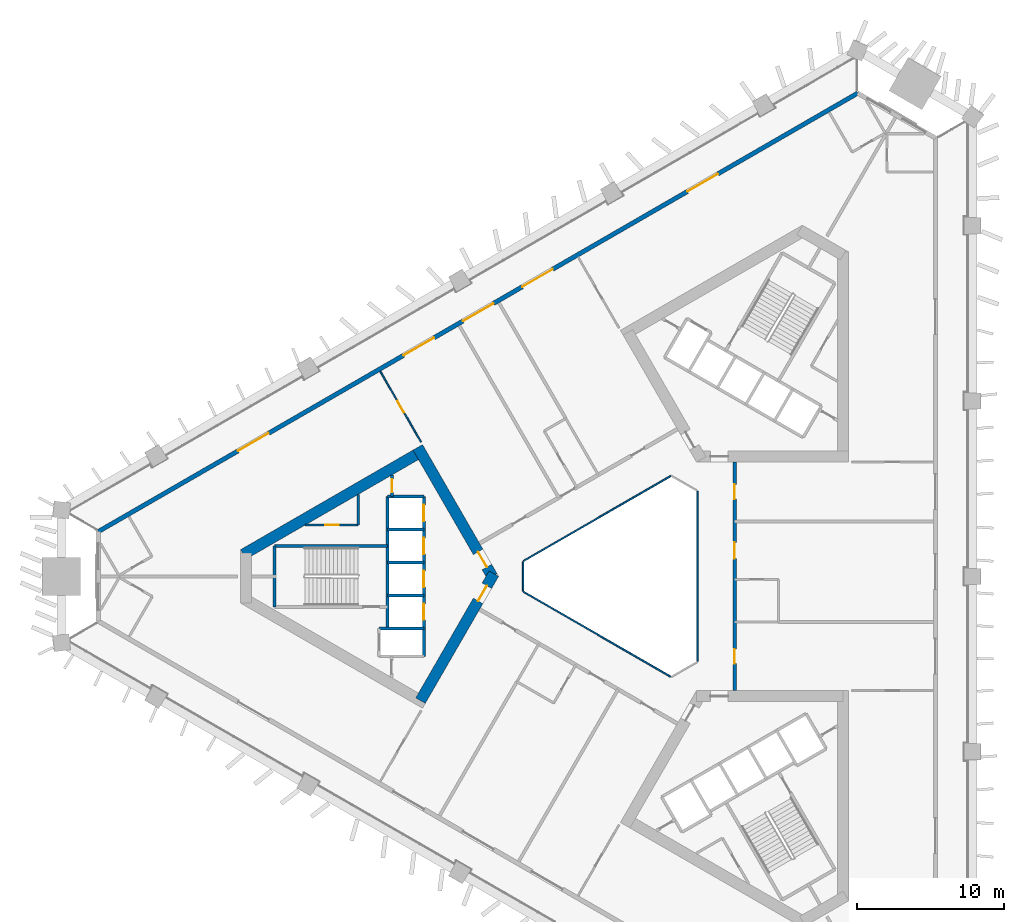
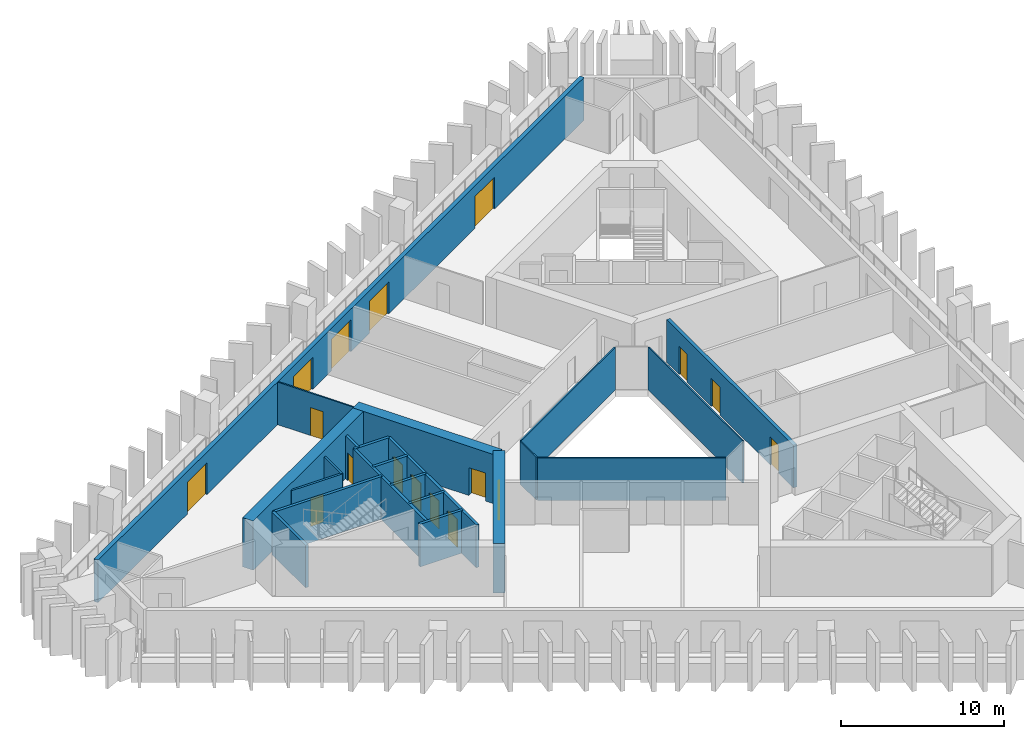
# One storey, part 4 of 10: 22 walls, 17 doors, 17 openings.
"""IFC4 building model written with IfcOpenShell, lengths in metres."""

from ifc_helpers import new_model, si_unit, direction, frame, frame_2d, origin, place, context, subcontext, project, spatial, rectangle, extrude, material, layer, layer_set, type_object, element, fill, save


model = new_model("IFC4")

# Units and contexts
model_context = context("Model", 3, precision=1e-05, world=origin(), true_north=direction((0.0, 1.0)))
body_context = subcontext(model_context, "Body", "Model", "MODEL_VIEW")
ifc_project = project(units=[si_unit("LENGTHUNIT", "METRE"), si_unit("AREAUNIT", "SQUARE_METRE"), si_unit("VOLUMEUNIT", "CUBIC_METRE"), si_unit("PLANEANGLEUNIT", "RADIAN"), si_unit("MASSUNIT", "GRAM", prefix="KILO")], contexts=[model_context])

# Site, building, storey
site_placement = place(None, origin())
site = spatial("IfcSite", under=ifc_project, at=site_placement, CompositionType="ELEMENT")
building_placement = place(site_placement, origin())
building = spatial("IfcBuilding", under=site, at=building_placement, Name="Jabali Bay Hotel Tower and Convention Centre", CompositionType="ELEMENT")
storey_placement = place(building_placement, frame((0.0, 0.0, 64.699951171875)))
storey = spatial("IfcBuildingStorey", under=building, at=storey_placement, Name="L14", CompositionType="ELEMENT", Elevation=64.699951171875)

# Walls
ifc_material_1 = material(Name="Fire-resistant glazing", Category="glass")
ifc_layer_1 = layer(ifc_material_1, 0.10009765625)
ifc_layer_set_1 = layer_set([ifc_layer_1], Name="Fire-resistant glazing")
wall_type_1 = type_object("IfcWallType", Name="Atrium glazed screen 100", PredefinedType="PARTITIONING", material=ifc_layer_set_1)
for number, where, z_axis, x_axis, name in (
    (1, (79.56005859375, 74.205810546875, 0.0), (0.0, 0.0, 1.0), (0.0, 1.0, 0.0), "Atrium screen 1 L14"),
    (2, (77.738037109375, 86.84619140625, 0.0), (0.0, 0.0, 1.0), (-0.866026658274, -0.499997827154, 0.0), "Atrium screen 3 L14"),
):
    element("IfcWall", number, at=place(storey_placement, frame(where, z_axis=z_axis, x_axis=x_axis)), inside=storey, type_object=wall_type_1, Name=name, PredefinedType="PARTITIONING", context=body_context, shape_type="SweptSolid", body=[
        extrude(rectangle(XDim=11.58837890625, YDim=0.10009765625, at=frame_2d((5.794189453125, 0.0))), origin(), (0.0, 0.0, 1.0), 3.199951171875),
    ])
wall_1_placement = place(storey_placement, frame((67.672119140625, 81.0, 0.0), z_axis=(0.0, 0.0, 1.0), x_axis=(0.0, -1.0, 0.0)))
element("IfcWall", 3, at=wall_1_placement, inside=storey, type_object=wall_type_1, Name="Atrium screen 4 L14", PredefinedType="PARTITIONING", context=body_context, shape_type="SweptSolid", body=[
    extrude(rectangle(XDim=2.0, YDim=0.10009765625, at=frame_2d((1.0, 0.0))), origin(), (0.0, 0.0, 1.0), 3.199951171875),
])
wall_2_placement = place(storey_placement, frame((67.7021484375, 78.947998046875, 0.0), z_axis=(0.0, 0.0, 1.0), x_axis=(0.866026658274, -0.499997827154, 0.0)))
element("IfcWall", 4, at=wall_2_placement, inside=storey, type_object=wall_type_1, Name="Atrium screen 5 L14", PredefinedType="PARTITIONING", context=body_context, shape_type="SweptSolid", body=[
    extrude(rectangle(XDim=11.58837890625, YDim=0.10009765625, at=frame_2d((5.794189453125, 0.0))), origin(), (0.0, 0.0, 1.0), 3.199951171875),
])

# Wall, opening, door
ifc_material_2 = material(Name="Concrete C40", Category="concrete")
ifc_layer_2 = layer(ifc_material_2, 0.199951171875)
ifc_layer_set_2 = layer_set([ifc_layer_2], Name="Concrete C40")
wall_type_2 = type_object("IfcWallType", Name="Core partition wall 200", PredefinedType="PARTITIONING", material=ifc_layer_set_2)
wall_3_placement = place(storey_placement, frame((58.719970703125, 86.916748046875, 0.0), z_axis=(0.0, 0.0, 1.0), x_axis=(0.0, -1.0, 0.0)))
wall_3 = element("IfcWall", 5, at=wall_3_placement, inside=storey, type_object=wall_type_2, Name="Core wall 0.11 L14", PredefinedType="PARTITIONING", context=body_context, shape_type="SweptSolid", body=[
    extrude(rectangle(XDim=1.466796875, YDim=0.199951171875, at=frame_2d((0.7333984375, 0.0))), origin(), (0.0, 0.0, 1.0), 3.199951171875),
])
opening_1_placement = place(wall_3_placement, frame((0.283447265625, 0.0, 0.0)))
opening_1 = element("IfcOpeningElement", 6, at=opening_1_placement, cuts=wall_3, Name="Opening D369", PredefinedType="OPENING", context=body_context, shape_type="SweptSolid", body=[
    extrude(rectangle(XDim=0.89990234375, YDim=2.10009765625, at=frame_2d((0.449951171875, 1.050048828125))), frame((0.0, 0.1103515625, 0.0), z_axis=(0.0, -1.0, 0.0), x_axis=(1.0, 0.0, 0.0)), (0.0, 0.0, 1.0), 0.220947265625),
])
ifc_material_3 = material(Name="Fire-rated steel door", Category="steel")
door_type_1 = type_object("IfcDoorType", Name="Vestibule fire door 900 x 2100", OperationType="NOTDEFINED", PredefinedType="NOTDEFINED", material=ifc_material_3)
door_1_placement = place(opening_1_placement, origin())
door_1 = element("IfcDoor", 7, at=door_1_placement, inside=storey, type_object=door_type_1, Name="Vestibule fire door D369", OperationType="SINGLE_SWING_LEFT", OverallHeight=2.10009765625, OverallWidth=0.89990234375, PredefinedType="NOTDEFINED", context=body_context, shape_type="SweptSolid", body=[
    extrude(rectangle(XDim=0.89990234375, YDim=2.10009765625, at=frame_2d((0.449951171875, 1.050048828125))), frame((0.0, 0.02490234375, 0.0), z_axis=(0.0, -1.0, 0.0), x_axis=(1.0, 0.0, 0.0)), (0.0, 0.0, 1.0), 0.050048828125),
])
fill(opening_1, door_1)

ifc_material_4 = material(Name="Fire-rated board partition")
ifc_layer_3 = layer(ifc_material_4, 0.14990234375)
ifc_layer_set_3 = layer_set([ifc_layer_3], Name="Fire-rated board partition")
wall_type_3 = type_object("IfcWallType", Name="Core room partition 150", PredefinedType="PARTITIONING", material=ifc_layer_set_3)
wall_4_placement = place(storey_placement, frame((56.419921875, 83.5, 0.0), z_axis=(0.0, 0.0, 1.0), x_axis=(-1.0, 0.0, 0.0)))
wall_4 = element("IfcWall", 8, at=wall_4_placement, inside=storey, type_object=wall_type_3, Name="Core wall 0.1 L14", PredefinedType="PARTITIONING", context=body_context, shape_type="SweptSolid", body=[
    extrude(rectangle(XDim=3.61767578125, YDim=0.14990234375, at=frame_2d((1.808837890625, 0.0))), origin(), (0.0, 0.0, 1.0), 3.199951171875),
])
opening_2_placement = place(wall_4_placement, frame((1.33154296875, 0.0, 0.0)))
opening_2 = element("IfcOpeningElement", 9, at=opening_2_placement, cuts=wall_4, Name="Opening D371", PredefinedType="OPENING", context=body_context, shape_type="SweptSolid", body=[
    extrude(rectangle(XDim=0.89990234375, YDim=2.10009765625, at=frame_2d((0.449951171875, 1.050048828125))), frame((0.0, 0.08544921875, 0.0), z_axis=(0.0, -1.0, 0.0), x_axis=(1.0, 0.0, 0.0)), (0.0, 0.0, 1.0), 0.1708984375),
])
door_type_2 = type_object("IfcDoorType", Name="Core room door 900 x 2100", OperationType="NOTDEFINED", PredefinedType="NOTDEFINED", material=ifc_material_3)
door_2_placement = place(opening_2_placement, origin())
door_2 = element("IfcDoor", 10, at=door_2_placement, inside=storey, type_object=door_type_2, Name="Core room door D371", OperationType="SINGLE_SWING_LEFT", OverallHeight=2.10009765625, OverallWidth=0.89990234375, PredefinedType="NOTDEFINED", context=body_context, shape_type="SweptSolid", body=[
    extrude(rectangle(XDim=0.89990234375, YDim=2.10009765625, at=frame_2d((0.449951171875, 1.050048828125))), frame((0.0, 0.02490234375, 0.0), z_axis=(0.0, -1.0, 0.0), x_axis=(1.0, 0.0, 0.0)), (0.0, 0.0, 1.0), 0.050048828125),
])
fill(opening_2, door_2)

# Walls
wall_5_placement = place(storey_placement, frame((56.419921875, 85.5888671875, 0.0), z_axis=(0.0, 0.0, 1.0), x_axis=(0.0, -1.0, 0.0)))
element("IfcWall", 11, at=wall_5_placement, inside=storey, type_object=wall_type_3, Name="Core wall 0.15 L14", PredefinedType="PARTITIONING", context=body_context, shape_type="SweptSolid", body=[
    extrude(rectangle(XDim=2.0888671875, YDim=0.14990234375, at=frame_2d((1.04443359375, 0.0))), origin(), (0.0, 0.0, 1.0), 3.199951171875),
])
ifc_layer_4 = layer(ifc_material_2, 0.199951171875)
ifc_layer_set_4 = layer_set([ifc_layer_4], Name="Concrete C40")
wall_type_4 = type_object("IfcWallType", Name="Core stair wall 200", PredefinedType="SOLIDWALL", material=ifc_layer_set_4)
for number, where, z_axis, x_axis, name in (
    (12, (60.89990234375, 85.449951171875, 0.0), (0.0, 0.0, 1.0), (-1.0, 0.0, 0.0), "Core wall 0.0 L14"),
    (13, (60.89990234375, 83.199951171875, 0.0), (0.0, 0.0, 1.0), (-1.0, 0.0, 0.0), "Core wall 0.2 L14"),
):
    element("IfcWall", number, at=place(storey_placement, frame(where, z_axis=z_axis, x_axis=x_axis)), inside=storey, type_object=wall_type_4, Name=name, PredefinedType="SOLIDWALL", context=body_context, shape_type="SweptSolid", body=[
        extrude(rectangle(XDim=2.47998046875, YDim=0.199951171875, at=frame_2d((1.239990234375, 0.0))), origin(), (0.0, 0.0, 1.0), 3.199951171875),
    ])
wall_6_placement = place(storey_placement, frame((58.419921875, 82.074951171875, 0.0), z_axis=(0.0, 0.0, 1.0), x_axis=(-1.0, 0.0, 0.0)))
element("IfcWall", 14, at=wall_6_placement, inside=storey, type_object=wall_type_4, Name="Core wall 0.3 L14", PredefinedType="SOLIDWALL", context=body_context, shape_type="SweptSolid", body=[
    extrude(rectangle(XDim=7.699951171875, YDim=0.199951171875, at=frame_2d((3.85009765625, 0.0))), origin(), (0.0, 0.0, 1.0), 3.199951171875),
])
for number, where, z_axis, x_axis, name in (
    (15, (60.89990234375, 80.949951171875, 0.0), (0.0, 0.0, 1.0), (-1.0, 0.0, 0.0), "Core wall 0.4 L14"),
    (16, (60.89990234375, 78.699951171875, 0.0), (0.0, 0.0, 1.0), (-1.0, 0.0, 0.0), "Core wall 0.6 L14"),
):
    element("IfcWall", number, at=place(storey_placement, frame(where, z_axis=z_axis, x_axis=x_axis)), inside=storey, type_object=wall_type_4, Name=name, PredefinedType="SOLIDWALL", context=body_context, shape_type="SweptSolid", body=[
        extrude(rectangle(XDim=2.47998046875, YDim=0.199951171875, at=frame_2d((1.239990234375, 0.0))), origin(), (0.0, 0.0, 1.0), 3.199951171875),
    ])
wall_7_placement = place(storey_placement, frame((60.89990234375, 76.449951171875, 0.0), z_axis=(0.0, 0.0, 1.0), x_axis=(-1.0, 0.0, 0.0)))
element("IfcWall", 17, at=wall_7_placement, inside=storey, type_object=wall_type_4, Name="Core wall 0.8 L14", PredefinedType="SOLIDWALL", context=body_context, shape_type="SweptSolid", body=[
    extrude(rectangle(XDim=3.0498046875, YDim=0.199951171875, at=frame_2d((1.52490234375, 0.0))), origin(), (0.0, 0.0, 1.0), 3.199951171875),
])

# Wall, openings, doors
wall_8_placement = place(storey_placement, frame((60.89990234375, 85.449951171875, 0.0), z_axis=(0.0, 0.0, 1.0), x_axis=(0.0, -1.0, 0.0)))
wall_8 = element("IfcWall", 18, at=wall_8_placement, inside=storey, type_object=wall_type_4, Name="Core wall 0.10 L14", PredefinedType="SOLIDWALL", context=body_context, shape_type="SweptSolid", body=[
    extrude(rectangle(XDim=10.89990234375, YDim=0.199951171875, at=frame_2d((5.449951171875, 0.0))), origin(), (0.0, 0.0, 1.0), 3.199951171875),
])
opening_3_placement = place(wall_8_placement, frame((0.574951171875, 0.0, 0.0)))
opening_3 = element("IfcOpeningElement", 19, at=opening_3_placement, cuts=wall_8, Name="Opening LD1-L14", PredefinedType="OPENING", context=body_context, shape_type="SweptSolid", body=[
    extrude(rectangle(XDim=1.10009765625, YDim=2.10009765625, at=frame_2d((0.550048828125, 1.050048828125))), frame((0.0, 0.1103515625, 0.0), z_axis=(0.0, -1.0, 0.0), x_axis=(1.0, 0.0, 0.0)), (0.0, 0.0, 1.0), 0.220947265625),
])
opening_4_placement = place(wall_8_placement, frame((2.824951171875, 0.0, 0.0)))
opening_4 = element("IfcOpeningElement", 20, at=opening_4_placement, cuts=wall_8, Name="Opening LD2-L14", PredefinedType="OPENING", context=body_context, shape_type="SweptSolid", body=[
    extrude(rectangle(XDim=1.10009765625, YDim=2.10009765625, at=frame_2d((0.550048828125, 1.050048828125))), frame((0.0, 0.1103515625, 0.0), z_axis=(0.0, -1.0, 0.0), x_axis=(1.0, 0.0, 0.0)), (0.0, 0.0, 1.0), 0.220947265625),
])
opening_5_placement = place(wall_8_placement, frame((5.074951171875, 0.0, 0.0)))
opening_5 = element("IfcOpeningElement", 21, at=opening_5_placement, cuts=wall_8, Name="Opening LD3-L14", PredefinedType="OPENING", context=body_context, shape_type="SweptSolid", body=[
    extrude(rectangle(XDim=1.10009765625, YDim=2.10009765625, at=frame_2d((0.550048828125, 1.050048828125))), frame((0.0, 0.1103515625, 0.0), z_axis=(0.0, -1.0, 0.0), x_axis=(1.0, 0.0, 0.0)), (0.0, 0.0, 1.0), 0.220947265625),
])
opening_6_placement = place(wall_8_placement, frame((7.324951171875, 0.0, 0.0)))
opening_6 = element("IfcOpeningElement", 22, at=opening_6_placement, cuts=wall_8, Name="Opening LD4-L14", PredefinedType="OPENING", context=body_context, shape_type="SweptSolid", body=[
    extrude(rectangle(XDim=1.10009765625, YDim=2.10009765625, at=frame_2d((0.550048828125, 1.050048828125))), frame((0.0, 0.1103515625, 0.0), z_axis=(0.0, -1.0, 0.0), x_axis=(1.0, 0.0, 0.0)), (0.0, 0.0, 1.0), 0.220947265625),
])
ifc_material_5 = material(Name="Stainless steel landing door", Category="steel")
door_type_3 = type_object("IfcDoorType", Name="Landing door 1100 x 2100", OperationType="NOTDEFINED", PredefinedType="NOTDEFINED", material=ifc_material_5)
door_3_placement = place(opening_3_placement, origin())
door_3 = element("IfcDoor", 23, at=door_3_placement, inside=storey, type_object=door_type_3, Name="Landing doors LD1-L14", OperationType="SLIDING_TO_RIGHT", OverallHeight=2.10009765625, OverallWidth=1.10009765625, PredefinedType="NOTDEFINED", context=body_context, shape_type="SweptSolid", body=[
    extrude(rectangle(XDim=1.10009765625, YDim=2.10009765625, at=frame_2d((0.550048828125, 1.050048828125))), frame((0.0, 0.02490234375, 0.0), z_axis=(0.0, -1.0, 0.0), x_axis=(1.0, 0.0, 0.0)), (0.0, 0.0, 1.0), 0.050048828125),
])
fill(opening_3, door_3)
door_4_placement = place(opening_4_placement, origin())
door_4 = element("IfcDoor", 24, at=door_4_placement, inside=storey, type_object=door_type_3, Name="Landing doors LD2-L14", OperationType="SLIDING_TO_LEFT", OverallHeight=2.10009765625, OverallWidth=1.10009765625, PredefinedType="NOTDEFINED", context=body_context, shape_type="SweptSolid", body=[
    extrude(rectangle(XDim=1.10009765625, YDim=2.10009765625, at=frame_2d((0.550048828125, 1.050048828125))), frame((0.0, 0.02490234375, 0.0), z_axis=(0.0, -1.0, 0.0), x_axis=(1.0, 0.0, 0.0)), (0.0, 0.0, 1.0), 0.050048828125),
])
fill(opening_4, door_4)
door_5_placement = place(opening_5_placement, origin())
door_5 = element("IfcDoor", 25, at=door_5_placement, inside=storey, type_object=door_type_3, Name="Landing doors LD3-L14", OperationType="SLIDING_TO_RIGHT", OverallHeight=2.10009765625, OverallWidth=1.10009765625, PredefinedType="NOTDEFINED", context=body_context, shape_type="SweptSolid", body=[
    extrude(rectangle(XDim=1.10009765625, YDim=2.10009765625, at=frame_2d((0.550048828125, 1.050048828125))), frame((0.0, 0.02490234375, 0.0), z_axis=(0.0, -1.0, 0.0), x_axis=(1.0, 0.0, 0.0)), (0.0, 0.0, 1.0), 0.050048828125),
])
fill(opening_5, door_5)
door_6_placement = place(opening_6_placement, origin())
door_6 = element("IfcDoor", 26, at=door_6_placement, inside=storey, type_object=door_type_3, Name="Landing doors LD4-L14", OperationType="SLIDING_TO_LEFT", OverallHeight=2.10009765625, OverallWidth=1.10009765625, PredefinedType="NOTDEFINED", context=body_context, shape_type="SweptSolid", body=[
    extrude(rectangle(XDim=1.10009765625, YDim=2.10009765625, at=frame_2d((0.550048828125, 1.050048828125))), frame((0.0, 0.02490234375, 0.0), z_axis=(0.0, -1.0, 0.0), x_axis=(1.0, 0.0, 0.0)), (0.0, 0.0, 1.0), 0.050048828125),
])
fill(opening_6, door_6)

# Walls
wall_9_placement = place(storey_placement, frame((58.419921875, 85.449951171875, 0.0), z_axis=(0.0, 0.0, 1.0), x_axis=(0.0, -1.0, 0.0)))
element("IfcWall", 27, at=wall_9_placement, inside=storey, type_object=wall_type_4, Name="Core wall 0.13 L14", PredefinedType="SOLIDWALL", context=body_context, shape_type="SweptSolid", body=[
    extrude(rectangle(XDim=9.0, YDim=0.199951171875, at=frame_2d((4.5, 0.0))), origin(), (0.0, 0.0, 1.0), 3.199951171875),
])
wall_10_placement = place(storey_placement, frame((50.719970703125, 82.074951171875, 0.0), z_axis=(0.0, 0.0, 1.0), x_axis=(0.0, -1.0, 0.0)))
element("IfcWall", 28, at=wall_10_placement, inside=storey, type_object=wall_type_4, Name="Core wall 0.16 L14", PredefinedType="SOLIDWALL", context=body_context, shape_type="SweptSolid", body=[
    extrude(rectangle(XDim=4.14990234375, YDim=0.199951171875, at=frame_2d((2.074951171875, 0.0))), origin(), (0.0, 0.0, 1.0), 3.199951171875),
])

# Wall, opening, door
ifc_material_6 = material(Name="Concrete C60", Category="concrete")
ifc_layer_5 = layer(ifc_material_6, 0.75)
ifc_layer_set_5 = layer_set([ifc_layer_5], Name="Concrete C60")
wall_type_5 = type_object("IfcWallType", Name="Core wall 750", PredefinedType="SHEAR", material=ifc_layer_set_5)
wall_11_placement = place(storey_placement, frame((65.56689453125, 80.0, 0.0), z_axis=(0.0, 0.0, 1.0), x_axis=(-0.499988615364, 0.866031976607, 0.0)))
wall_11 = element("IfcWall", 29, at=wall_11_placement, inside=storey, type_object=wall_type_5, Name="Core wall 1.1 L14", PredefinedType="SHEAR", context=body_context, shape_type="SweptSolid", body=[
    extrude(rectangle(XDim=10.163330078125, YDim=0.75, at=frame_2d((5.08154296875, 0.0))), origin(), (0.0, 0.0, 1.0), 3.699951171875),
])
opening_7_placement = place(wall_11_placement, frame((0.7333984375, 0.0, 0.0)))
opening_7 = element("IfcOpeningElement", 30, at=opening_7_placement, cuts=wall_11, Name="Opening D366", PredefinedType="OPENING", context=body_context, shape_type="SweptSolid", body=[
    extrude(rectangle(XDim=1.199951171875, YDim=2.10009765625, at=frame_2d((0.60009765625, 1.050048828125))), frame((0.0, 0.385498046875, 0.0), z_axis=(0.0, -1.0, 0.0), x_axis=(1.0, 0.0, 0.0)), (0.0, 0.0, 1.0), 0.77099609375),
])
door_type_4 = type_object("IfcDoorType", Name="Corridor end fire door 1200 x 2100", OperationType="NOTDEFINED", PredefinedType="NOTDEFINED", material=ifc_material_3)
door_7_placement = place(opening_7_placement, origin())
door_7 = element("IfcDoor", 31, at=door_7_placement, inside=storey, type_object=door_type_4, Name="Corridor end fire door D366", OperationType="SINGLE_SWING_RIGHT", OverallHeight=2.10009765625, OverallWidth=1.199951171875, PredefinedType="NOTDEFINED", context=body_context, shape_type="SweptSolid", body=[
    extrude(rectangle(XDim=1.199951171875, YDim=2.10009765625, at=frame_2d((0.60009765625, 1.050048828125))), frame((0.0, 0.02490234375, 0.0), z_axis=(0.0, -1.0, 0.0), x_axis=(1.0, 0.0, 0.0)), (0.0, 0.0, 1.0), 0.050048828125),
])
fill(opening_7, door_7)

# Wall
wall_12_placement = place(storey_placement, frame((60.6728515625, 88.47705078125, 0.0), z_axis=(0.0, 0.0, 1.0), x_axis=(-0.8660248072, -0.500001033313, 0.0)))
element("IfcWall", 32, at=wall_12_placement, inside=storey, type_object=wall_type_5, Name="Core wall 1.2 L14", PredefinedType="SHEAR", context=body_context, shape_type="SweptSolid", body=[
    extrude(rectangle(XDim=13.95849609375, YDim=0.75, at=frame_2d((6.979248046875, 0.0))), origin(), (0.0, 0.0, 1.0), 3.699951171875),
])

# Wall, opening, door
wall_13_placement = place(storey_placement, frame((60.6728515625, 71.52294921875, 0.0), z_axis=(0.0, 0.0, 1.0), x_axis=(0.499997052475, 0.866027105532, 0.0)))
wall_13 = element("IfcWall", 33, at=wall_13_placement, inside=storey, type_object=wall_type_5, Name="Core wall 1.5 L14", PredefinedType="SHEAR", context=body_context, shape_type="SweptSolid", body=[
    extrude(rectangle(XDim=10.0048828125, YDim=0.75, at=frame_2d((5.00244140625, 0.0))), origin(), (0.0, 0.0, 1.0), 3.699951171875),
])
opening_8_placement = place(wall_13_placement, frame((7.85498046875, 0.0, 0.0)))
opening_8 = element("IfcOpeningElement", 34, at=opening_8_placement, cuts=wall_13, Name="Opening D367", PredefinedType="OPENING", context=body_context, shape_type="SweptSolid", body=[
    extrude(rectangle(XDim=1.199951171875, YDim=2.10009765625, at=frame_2d((0.60009765625, 1.050048828125))), frame((0.0, 0.385498046875, 0.0), z_axis=(0.0, -1.0, 0.0), x_axis=(1.0, 0.0, 0.0)), (0.0, 0.0, 1.0), 0.77099609375),
])
door_8_placement = place(opening_8_placement, origin())
door_8 = element("IfcDoor", 35, at=door_8_placement, inside=storey, type_object=door_type_4, Name="Corridor end fire door D367", OperationType="SINGLE_SWING_LEFT", OverallHeight=2.10009765625, OverallWidth=1.199951171875, PredefinedType="NOTDEFINED", context=body_context, shape_type="SweptSolid", body=[
    extrude(rectangle(XDim=1.199951171875, YDim=2.10009765625, at=frame_2d((0.60009765625, 1.050048828125))), frame((0.0, 0.02490234375, 0.0), z_axis=(0.0, -1.0, 0.0), x_axis=(1.0, 0.0, 0.0)), (0.0, 0.0, 1.0), 0.050048828125),
])
fill(opening_8, door_8)

# Wall, openings, doors
ifc_layer_6 = layer(ifc_material_6, 0.25)
ifc_layer_set_6 = layer_set([ifc_layer_6], Name="Concrete C60")
wall_type_6 = type_object("IfcWallType", Name="Corridor wall 250", PredefinedType="SHEAR", material=ifc_layer_set_6)
wall_14_placement = place(storey_placement, frame((82.10009765625, 72.205810546875, 0.0), z_axis=(0.0, 0.0, 1.0), x_axis=(0.0, 1.0, 0.0)))
wall_14 = element("IfcWall", 36, at=wall_14_placement, inside=storey, type_object=wall_type_6, Name="Corridor wall 1 L14", PredefinedType="SHEAR", context=body_context, shape_type="SweptSolid", body=[
    extrude(rectangle(XDim=15.58837890625, YDim=0.25, at=frame_2d((7.794189453125, 0.0))), origin(), (0.0, 0.0, 1.0), 3.199951171875),
])
opening_9_placement = place(wall_14_placement, frame((1.83837890625, 0.0, 0.0)))
opening_9 = element("IfcOpeningElement", 37, at=opening_9_placement, cuts=wall_14, Name="Opening 1401", PredefinedType="OPENING", context=body_context, shape_type="SweptSolid", body=[
    extrude(rectangle(XDim=1.0, YDim=2.10009765625, at=frame_2d((0.5, 1.050048828125))), frame((0.0, 0.135498046875, 0.0), z_axis=(0.0, -1.0, 0.0), x_axis=(1.0, 0.0, 0.0)), (0.0, 0.0, 1.0), 0.27099609375),
])
opening_10_placement = place(wall_14_placement, frame((9.006103515625, 0.0, 0.0)))
opening_10 = element("IfcOpeningElement", 38, at=opening_10_placement, cuts=wall_14, Name="Opening 1405", PredefinedType="OPENING", context=body_context, shape_type="SweptSolid", body=[
    extrude(rectangle(XDim=1.10009765625, YDim=2.10009765625, at=frame_2d((0.550048828125, 1.050048828125))), frame((0.0, 0.135498046875, 0.0), z_axis=(0.0, -1.0, 0.0), x_axis=(1.0, 0.0, 0.0)), (0.0, 0.0, 1.0), 0.27099609375),
])
opening_11_placement = place(wall_14_placement, frame((13.06201171875, 0.0, 0.0)))
opening_11 = element("IfcOpeningElement", 39, at=opening_11_placement, cuts=wall_14, Name="Opening 1406", PredefinedType="OPENING", context=body_context, shape_type="SweptSolid", body=[
    extrude(rectangle(XDim=1.0, YDim=2.10009765625, at=frame_2d((0.5, 1.050048828125))), frame((0.0, 0.135498046875, 0.0), z_axis=(0.0, -1.0, 0.0), x_axis=(1.0, 0.0, 0.0)), (0.0, 0.0, 1.0), 0.27099609375),
])
ifc_material_7 = material(Name="Timber", Category="wood")
door_type_5 = type_object("IfcDoorType", Name="Accessible guest room door 1100 x 2100", OperationType="NOTDEFINED", PredefinedType="NOTDEFINED", material=ifc_material_7)
door_9_placement = place(opening_10_placement, origin())
door_9 = element("IfcDoor", 40, at=door_9_placement, inside=storey, type_object=door_type_5, Name="Door 1405", OperationType="SINGLE_SWING_RIGHT", OverallHeight=2.10009765625, OverallWidth=1.10009765625, PredefinedType="NOTDEFINED", context=body_context, shape_type="SweptSolid", body=[
    extrude(rectangle(XDim=1.10009765625, YDim=2.10009765625, at=frame_2d((0.550048828125, 1.050048828125))), frame((0.0, 0.02490234375, 0.0), z_axis=(0.0, -1.0, 0.0), x_axis=(1.0, 0.0, 0.0)), (0.0, 0.0, 1.0), 0.050048828125),
])
fill(opening_10, door_9)
door_type_6 = type_object("IfcDoorType", Name="Guest room door 1000 x 2100", OperationType="NOTDEFINED", PredefinedType="NOTDEFINED", material=ifc_material_7)
door_10_placement = place(opening_9_placement, origin())
door_10 = element("IfcDoor", 41, at=door_10_placement, inside=storey, type_object=door_type_6, Name="Door 1401", OperationType="SINGLE_SWING_LEFT", OverallHeight=2.10009765625, OverallWidth=1.0, PredefinedType="NOTDEFINED", context=body_context, shape_type="SweptSolid", body=[
    extrude(rectangle(XDim=1.0, YDim=2.10009765625, at=frame_2d((0.5, 1.050048828125))), frame((0.0, 0.02490234375, 0.0), z_axis=(0.0, -1.0, 0.0), x_axis=(1.0, 0.0, 0.0)), (0.0, 0.0, 1.0), 0.050048828125),
])
fill(opening_9, door_10)
door_11_placement = place(opening_11_placement, origin())
door_11 = element("IfcDoor", 42, at=door_11_placement, inside=storey, type_object=door_type_6, Name="Door 1406", OperationType="SINGLE_SWING_RIGHT", OverallHeight=2.10009765625, OverallWidth=1.0, PredefinedType="NOTDEFINED", context=body_context, shape_type="SweptSolid", body=[
    extrude(rectangle(XDim=1.0, YDim=2.10009765625, at=frame_2d((0.5, 1.050048828125))), frame((0.0, 0.02490234375, 0.0), z_axis=(0.0, -1.0, 0.0), x_axis=(1.0, 0.0, 0.0)), (0.0, 0.0, 1.0), 0.050048828125),
])
fill(opening_11, door_11)

ifc_layer_7 = layer(ifc_material_2, 0.300048828125)
ifc_layer_set_7 = layer_set([ifc_layer_7], Name="Concrete C40")
wall_type_7 = type_object("IfcWallType", Name="External wall 300", PredefinedType="SOLIDWALL", material=ifc_layer_set_7)
wall_15_placement = place(storey_placement, frame((38.701416015625, 83.060302734375, 0.0), z_axis=(0.0, 0.0, 1.0), x_axis=(0.866026049211, 0.499998882086, 0.0)))
wall_15 = element("IfcWall", 43, at=wall_15_placement, inside=storey, type_object=wall_type_7, Name="External wall north-west face L14", PredefinedType="SOLIDWALL", context=body_context, shape_type="SweptSolid", body=[
    extrude(rectangle(XDim=59.810791015625, YDim=0.300048828125, at=frame_2d((29.9052734375, 0.0))), origin(), (0.0, 0.0, 1.0), 3.199951171875),
])
opening_12_placement = place(wall_15_placement, frame((33.3818359375, 0.0, 0.0)))
opening_12 = element("IfcOpeningElement", 44, at=opening_12_placement, cuts=wall_15, Name="Opening SD1", PredefinedType="OPENING", context=body_context, shape_type="SweptSolid", body=[
    extrude(rectangle(XDim=2.39990234375, YDim=2.39990234375, at=frame_2d((1.199951171875, 1.199951171875))), frame((0.0, 0.16064453125, 0.0), z_axis=(0.0, -1.0, 0.0), x_axis=(1.0, 0.0, 0.0)), (0.0, 0.0, 1.0), 0.321044921875),
])
opening_13_placement = place(wall_15_placement, frame((46.39404296875, 0.0, 0.0)))
opening_13 = element("IfcOpeningElement", 45, at=opening_13_placement, cuts=wall_15, Name="Opening SD1", PredefinedType="OPENING", context=body_context, shape_type="SweptSolid", body=[
    extrude(rectangle(XDim=2.39990234375, YDim=2.39990234375, at=frame_2d((1.199951171875, 1.199951171875))), frame((0.0, 0.16064453125, 0.0), z_axis=(0.0, -1.0, 0.0), x_axis=(1.0, 0.0, 0.0)), (0.0, 0.0, 1.0), 0.321044921875),
])
opening_14_placement = place(wall_15_placement, frame((24.02880859375, 0.0, 0.0)))
opening_14 = element("IfcOpeningElement", 46, at=opening_14_placement, cuts=wall_15, Name="Opening SD1", PredefinedType="OPENING", context=body_context, shape_type="SweptSolid", body=[
    extrude(rectangle(XDim=2.39990234375, YDim=2.39990234375, at=frame_2d((1.199951171875, 1.199951171875))), frame((0.0, 0.16064453125, 0.0), z_axis=(0.0, -1.0, 0.0), x_axis=(1.0, 0.0, 0.0)), (0.0, 0.0, 1.0), 0.321044921875),
])
opening_15_placement = place(wall_15_placement, frame((11.002197265625, 0.0, 0.0)))
opening_15 = element("IfcOpeningElement", 47, at=opening_15_placement, cuts=wall_15, Name="Opening SD1", PredefinedType="OPENING", context=body_context, shape_type="SweptSolid", body=[
    extrude(rectangle(XDim=2.39990234375, YDim=2.39990234375, at=frame_2d((1.199951171875, 1.199951171875))), frame((0.0, 0.16064453125, 0.0), z_axis=(0.0, -1.0, 0.0), x_axis=(1.0, 0.0, 0.0)), (0.0, 0.0, 1.0), 0.321044921875),
])
opening_16_placement = place(wall_15_placement, frame((28.705322265625, 0.0, 0.0)))
opening_16 = element("IfcOpeningElement", 48, at=opening_16_placement, cuts=wall_15, Name="Opening SD1", PredefinedType="OPENING", context=body_context, shape_type="SweptSolid", body=[
    extrude(rectangle(XDim=2.39990234375, YDim=2.39990234375, at=frame_2d((1.199951171875, 1.199951171875))), frame((0.0, 0.16064453125, 0.0), z_axis=(0.0, -1.0, 0.0), x_axis=(1.0, 0.0, 0.0)), (0.0, 0.0, 1.0), 0.321044921875),
])
ifc_material_8 = material(Name="Glass", Category="glass")
door_type_7 = type_object("IfcDoorType", Name="Loggia sliding door 2400 x 2400", OperationType="NOTDEFINED", PredefinedType="NOTDEFINED", material=ifc_material_8)
door_12_placement = place(opening_12_placement, origin())
door_12 = element("IfcDoor", 49, at=door_12_placement, inside=storey, type_object=door_type_7, Name="Loggia sliding door 1404", OperationType="SLIDING_TO_LEFT", OverallHeight=2.39990234375, OverallWidth=2.39990234375, PredefinedType="NOTDEFINED", context=body_context, shape_type="SweptSolid", body=[
    extrude(rectangle(XDim=2.39990234375, YDim=2.39990234375, at=frame_2d((1.199951171875, 1.199951171875))), frame((0.0, 0.02490234375, 0.0), z_axis=(0.0, -1.0, 0.0), x_axis=(1.0, 0.0, 0.0)), (0.0, 0.0, 1.0), 0.050048828125),
])
fill(opening_12, door_12)
door_13_placement = place(opening_13_placement, origin())
door_13 = element("IfcDoor", 50, at=door_13_placement, inside=storey, type_object=door_type_7, Name="Loggia sliding door 1404", OperationType="SLIDING_TO_RIGHT", OverallHeight=2.39990234375, OverallWidth=2.39990234375, PredefinedType="NOTDEFINED", context=body_context, shape_type="SweptSolid", body=[
    extrude(rectangle(XDim=2.39990234375, YDim=2.39990234375, at=frame_2d((1.199951171875, 1.199951171875))), frame((0.0, 0.02490234375, 0.0), z_axis=(0.0, -1.0, 0.0), x_axis=(1.0, 0.0, 0.0)), (0.0, 0.0, 1.0), 0.050048828125),
])
fill(opening_13, door_13)
door_14_placement = place(opening_14_placement, origin())
door_14 = element("IfcDoor", 51, at=door_14_placement, inside=storey, type_object=door_type_7, Name="Loggia sliding door 1406", OperationType="SLIDING_TO_LEFT", OverallHeight=2.39990234375, OverallWidth=2.39990234375, PredefinedType="NOTDEFINED", context=body_context, shape_type="SweptSolid", body=[
    extrude(rectangle(XDim=2.39990234375, YDim=2.39990234375, at=frame_2d((1.199951171875, 1.199951171875))), frame((0.0, 0.02490234375, 0.0), z_axis=(0.0, -1.0, 0.0), x_axis=(1.0, 0.0, 0.0)), (0.0, 0.0, 1.0), 0.050048828125),
])
fill(opening_14, door_14)
door_15_placement = place(opening_15_placement, origin())
door_15 = element("IfcDoor", 52, at=door_15_placement, inside=storey, type_object=door_type_7, Name="Loggia sliding door 1406", OperationType="SLIDING_TO_RIGHT", OverallHeight=2.39990234375, OverallWidth=2.39990234375, PredefinedType="NOTDEFINED", context=body_context, shape_type="SweptSolid", body=[
    extrude(rectangle(XDim=2.39990234375, YDim=2.39990234375, at=frame_2d((1.199951171875, 1.199951171875))), frame((0.0, 0.02490234375, 0.0), z_axis=(0.0, -1.0, 0.0), x_axis=(1.0, 0.0, 0.0)), (0.0, 0.0, 1.0), 0.050048828125),
])
fill(opening_15, door_15)
door_16_placement = place(opening_16_placement, origin())
door_16 = element("IfcDoor", 53, at=door_16_placement, inside=storey, type_object=door_type_7, Name="Loggia sliding door 1405", OperationType="SLIDING_TO_LEFT", OverallHeight=2.39990234375, OverallWidth=2.39990234375, PredefinedType="NOTDEFINED", context=body_context, shape_type="SweptSolid", body=[
    extrude(rectangle(XDim=2.39990234375, YDim=2.39990234375, at=frame_2d((1.199951171875, 1.199951171875))), frame((0.0, 0.02490234375, 0.0), z_axis=(0.0, -1.0, 0.0), x_axis=(1.0, 0.0, 0.0)), (0.0, 0.0, 1.0), 0.050048828125),
])
fill(opening_16, door_16)

# Wall, opening, door
ifc_material_9 = material(Name="Plasterboard on steel stud", Category="steel")
ifc_layer_8 = layer(ifc_material_9, 0.10009765625)
ifc_layer_set_8 = layer_set([ifc_layer_8], Name="Plasterboard on steel stud")
wall_type_8 = type_object("IfcWallType", Name="Partition 100 unit", PredefinedType="PARTITIONING", material=ifc_layer_set_8)
wall_16_placement = place(storey_placement, frame((57.9248046875, 93.986572265625, 0.0), z_axis=(0.0, 0.0, 1.0), x_axis=(0.499994302092, -0.866028693448, 0.0)))
wall_16 = element("IfcWall", 54, at=wall_16_placement, inside=storey, type_object=wall_type_8, Name="Partition P02 L14 025", PredefinedType="PARTITIONING", context=body_context, shape_type="SweptSolid", body=[
    extrude(rectangle(XDim=5.5712890625, YDim=0.10009765625, at=frame_2d((2.78564453125, 0.0))), origin(), (0.0, 0.0, 1.0), 3.199951171875),
])
opening_17_placement = place(wall_16_placement, frame((2.3359375, 0.0, 0.0)))
opening_17 = element("IfcOpeningElement", 55, at=opening_17_placement, cuts=wall_16, Name="Opening 1415", PredefinedType="OPENING", context=body_context, shape_type="SweptSolid", body=[
    extrude(rectangle(XDim=0.89990234375, YDim=2.10009765625, at=frame_2d((0.449951171875, 1.050048828125))), frame((0.0, 0.060546875, 0.0), z_axis=(0.0, -1.0, 0.0), x_axis=(1.0, 0.0, 0.0)), (0.0, 0.0, 1.0), 0.12109375),
])
door_type_8 = type_object("IfcDoorType", Name="Internal door 900 x 2100", OperationType="NOTDEFINED", PredefinedType="NOTDEFINED", material=ifc_material_7)
door_17_placement = place(opening_17_placement, origin())
door_17 = element("IfcDoor", 56, at=door_17_placement, inside=storey, type_object=door_type_8, Name="Door 1415", OperationType="SINGLE_SWING_RIGHT", OverallHeight=2.10009765625, OverallWidth=0.89990234375, PredefinedType="NOTDEFINED", context=body_context, shape_type="SweptSolid", body=[
    extrude(rectangle(XDim=0.89990234375, YDim=2.10009765625, at=frame_2d((0.449951171875, 1.050048828125))), frame((0.0, 0.02490234375, 0.0), z_axis=(0.0, -1.0, 0.0), x_axis=(1.0, 0.0, 0.0)), (0.0, 0.0, 1.0), 0.050048828125),
])
fill(opening_17, door_17)

save(model, "model.ifc")
